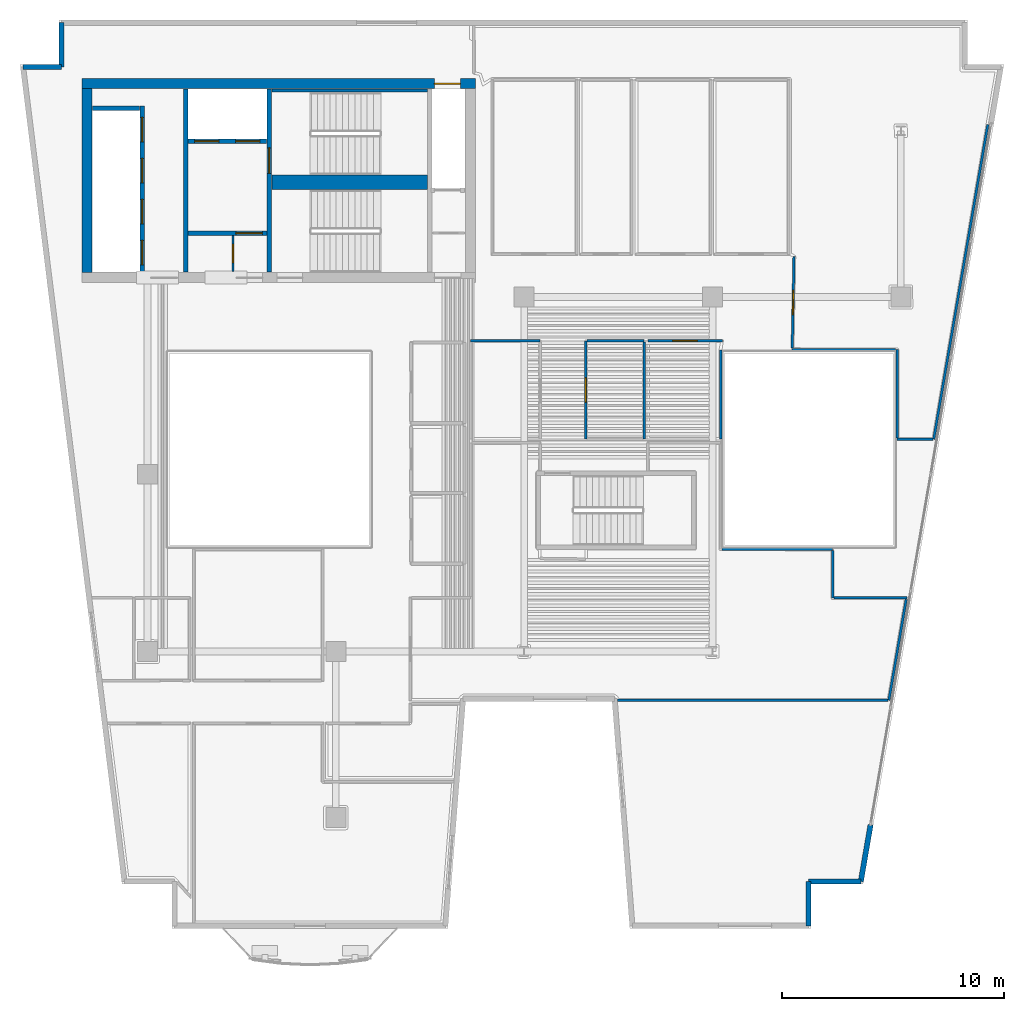
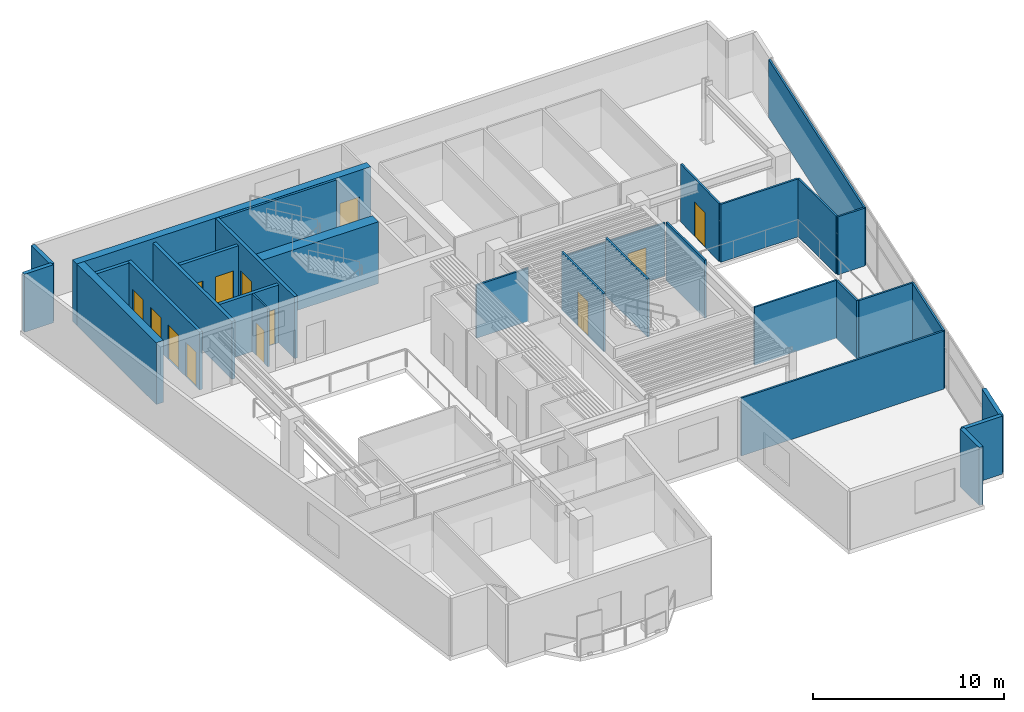
# One storey, part 5 of 10: 32 walls, 13 doors, 13 openings.
"""IFC4 building model written with IfcOpenShell, lengths in metres."""

from ifc_helpers import new_model, si_unit, direction, frame, frame_2d, origin, place, context, subcontext, project, spatial, rectangle, extrude, material, layer, layer_set, type_object, element, fill, save


model = new_model("IFC4")

# Units and contexts
model_context = context("Model", 3, precision=1e-05, world=origin(), true_north=direction((0.0, 1.0)))
body_context = subcontext(model_context, "Body", "Model", "MODEL_VIEW")
ifc_project = project(units=[si_unit("LENGTHUNIT", "METRE"), si_unit("AREAUNIT", "SQUARE_METRE"), si_unit("VOLUMEUNIT", "CUBIC_METRE"), si_unit("PLANEANGLEUNIT", "RADIAN"), si_unit("MASSUNIT", "GRAM", prefix="KILO")], contexts=[model_context])

# Site, building, storey
site_placement = place(None, origin())
site = spatial("IfcSite", under=ifc_project, at=site_placement, CompositionType="ELEMENT")
building_placement = place(site_placement, origin())
building = spatial("IfcBuilding", under=site, at=building_placement, Name="Caeloran Harvest Quay", CompositionType="ELEMENT")
storey_placement = place(building_placement, frame((0.0, 0.0, 219.300048828125)))
storey = spatial("IfcBuildingStorey", under=building, at=storey_placement, Name="L52", CompositionType="ELEMENT", Elevation=219.300048828125)

# Walls
ifc_material_1 = material(Name="Precast concrete C50/60", Category="concrete")
ifc_layer_1 = layer(ifc_material_1, 0.239990234375, Name="Precast concrete C50/60")
ifc_layer_set_1 = layer_set([ifc_layer_1], Name="Precast concrete C50/60")
wall_type_1 = type_object("IfcWallType", Name="ENV-WALL-EW-240", PredefinedType="STANDARD", material=ifc_layer_set_1)
wall_1_placement = place(storey_placement, frame((2.884765625, 41.3798828125, 0.0), z_axis=(0.0, 0.0, 1.0), x_axis=(1.0, 0.0, 0.0)))
element("IfcWall", 1, at=wall_1_placement, inside=storey, type_object=wall_type_1, Name="L52 Exterior Precast Concrete Facade Wall 4", PredefinedType="STANDARD", context=body_context, shape_type="SweptSolid", body=[
    extrude(rectangle(XDim=1.7353515625, YDim=0.239990234375, at=frame_2d((0.86767578125, 0.0))), origin(), (0.0, 0.0, 1.0), 3.699951171875),
])
wall_2_placement = place(storey_placement, frame((4.6201171875, 41.3798828125, 0.0), z_axis=(0.0, 0.0, 1.0), x_axis=(0.0, 1.0, 0.0)))
element("IfcWall", 2, at=wall_2_placement, inside=storey, type_object=wall_type_1, Name="L52 Exterior Precast Concrete Facade Wall 5", PredefinedType="STANDARD", context=body_context, shape_type="SweptSolid", body=[
    extrude(rectangle(XDim=2.0, YDim=0.239990234375, at=frame_2d((1.0, 0.0))), origin(), (0.0, 0.0, 1.0), 3.699951171875),
])
wall_3_placement = place(storey_placement, frame((41.135986328125, 7.182373046875, 0.0), z_axis=(0.0, 0.0, 1.0), x_axis=(-0.169315679152, -0.985561870606, 0.0)))
element("IfcWall", 3, at=wall_3_placement, inside=storey, type_object=wall_type_1, Name="L52 Exterior Facade Corner Pier Wall 9B", PredefinedType="STANDARD", context=body_context, shape_type="SweptSolid", body=[
    extrude(rectangle(XDim=2.599853515625, YDim=0.239990234375, at=frame_2d((1.2998046875, 0.0))), origin(), (0.0, 0.0, 1.0), 3.699951171875),
])
wall_4_placement = place(storey_placement, frame((40.69580078125, 4.6201171875, 0.0), z_axis=(0.0, 0.0, 1.0), x_axis=(-1.0, 0.0, 0.0)))
element("IfcWall", 4, at=wall_4_placement, inside=storey, type_object=wall_type_1, Name="L52 Exterior Precast Concrete Facade Wall 10", PredefinedType="STANDARD", context=body_context, shape_type="SweptSolid", body=[
    extrude(rectangle(XDim=2.36279296875, YDim=0.239990234375, at=frame_2d((1.181396484375, 0.0))), origin(), (0.0, 0.0, 1.0), 3.699951171875),
])
wall_5_placement = place(storey_placement, frame((38.3330078125, 4.6201171875, 0.0), z_axis=(0.0, 0.0, 1.0), x_axis=(0.0, -1.0, 0.0)))
element("IfcWall", 5, at=wall_5_placement, inside=storey, type_object=wall_type_1, Name="L52 Exterior Precast Concrete Facade Wall 11", PredefinedType="STANDARD", context=body_context, shape_type="SweptSolid", body=[
    extrude(rectangle(XDim=2.0, YDim=0.239990234375, at=frame_2d((1.0, 0.0))), origin(), (0.0, 0.0, 1.0), 3.699951171875),
])

# Wall, opening, door
ifc_material_2 = material(Name="Fire-Resisting Gypsum Core Riser Partition", Category="gypsum")
ifc_layer_2 = layer(ifc_material_2, 0.10009765625, Name="Fire-Resisting Gypsum Core Riser Partition")
ifc_layer_set_2 = layer_set([ifc_layer_2], Name="Fire-Resisting Gypsum Core Riser Partition")
wall_type_2 = type_object("IfcWallType", Name="INT-WALL-PW-100", PredefinedType="PARTITIONING", material=ifc_layer_set_2)
wall_6_placement = place(storey_placement, frame((12.360107421875, 32.159912109375, 0.0), z_axis=(0.0, 0.0, 1.0), x_axis=(0.0, 1.0, 0.0)))
wall_6 = element("IfcWall", 6, at=wall_6_placement, inside=storey, type_object=wall_type_2, Name="L52 Core Store Partition Wall", PredefinedType="PARTITIONING", context=body_context, shape_type="SweptSolid", body=[
    extrude(rectangle(XDim=1.6201171875, YDim=0.10009765625, at=frame_2d((0.81005859375, 0.0))), origin(), (0.0, 0.0, 1.0), 3.699951171875),
])
opening_1_placement = place(wall_6_placement, frame((0.3798828125, 0.0, 0.0)))
opening_1 = element("IfcOpeningElement", 7, at=opening_1_placement, cuts=wall_6, Name="Opening SV-01", PredefinedType="OPENING", context=body_context, shape_type="SweptSolid", body=[
    extrude(rectangle(XDim=0.85009765625, YDim=2.10009765625, at=frame_2d((0.425048828125, 1.050048828125))), frame((0.0, 0.06005859375, 0.0), z_axis=(0.0, -1.0, 0.0), x_axis=(1.0, 0.0, 0.0)), (0.0, 0.0, 1.0), 0.1201171875),
])
ifc_material_3 = material(Name="Galvanized Painted Steel", Category="steel")
door_type_1 = type_object("IfcDoorType", Name="INTDOOR-SV-01", OperationType="NOTDEFINED", PredefinedType="DOOR", material=ifc_material_3)
door_1_placement = place(opening_1_placement, origin())
door_1 = element("IfcDoor", 8, at=door_1_placement, inside=storey, type_object=door_type_1, Name="L52 Core Service Room Access Door", OperationType="SINGLE_SWING_LEFT", OverallHeight=2.10009765625, OverallWidth=0.85009765625, PredefinedType="DOOR", context=body_context, shape_type="SweptSolid", body=[
    extrude(rectangle(XDim=0.85009765625, YDim=2.10009765625, at=frame_2d((0.425048828125, 1.050048828125))), frame((0.0, 0.02490234375, 0.0), z_axis=(0.0, -1.0, 0.0), x_axis=(1.0, 0.0, 0.0)), (0.0, 0.0, 1.0), 0.050048828125),
])
fill(opening_1, door_1)

# Walls
ifc_material_4 = material(Name="Single-Stud Acoustic Gypsum Office Partition", Category="gypsum")
ifc_layer_3 = layer(ifc_material_4, 0.112060546875, Name="Single-Stud Acoustic Gypsum Office Partition")
ifc_layer_set_3 = layer_set([ifc_layer_3], Name="Single-Stud Acoustic Gypsum Office Partition")
wall_type_3 = type_object("IfcWallType", Name="INT-WALL-PW-112", PredefinedType="PARTITIONING", material=ifc_layer_set_3)
wall_7_placement = place(storey_placement, frame((34.430908203125, 19.6201171875, 0.0), z_axis=(0.0, 0.0, 1.0), x_axis=(1.0, 0.0, 0.0)))
element("IfcWall", 9, at=wall_7_placement, inside=storey, type_object=wall_type_3, Name="Founder Fireside Salon Lounge Partition Wall", PredefinedType="PARTITIONING", context=body_context, shape_type="SweptSolid", body=[
    extrude(rectangle(XDim=4.989013671875, YDim=0.112060546875, at=frame_2d((2.49462890625, 0.0))), origin(), (0.0, 0.0, 1.0), 3.699951171875),
])
wall_8_placement = place(storey_placement, frame((39.419921875, 19.55908203125, 0.0), z_axis=(0.0, 0.0, 1.0), x_axis=(0.0, -1.0, 0.0)))
element("IfcWall", 10, at=wall_8_placement, inside=storey, type_object=wall_type_3, Name="Founder Fireside Salon Lounge Partition Wall", PredefinedType="PARTITIONING", context=body_context, shape_type="SweptSolid", body=[
    extrude(rectangle(XDim=2.13916015625, YDim=0.112060546875, at=frame_2d((1.069580078125, 0.0))), origin(), (0.0, 0.0, 1.0), 3.699951171875),
])
wall_9_placement = place(storey_placement, frame((39.48095703125, 17.419921875, 0.0), z_axis=(0.0, 0.0, 1.0), x_axis=(1.0, 0.0, 0.0)))
element("IfcWall", 11, at=wall_9_placement, inside=storey, type_object=wall_type_3, Name="Founder Fireside Salon Lounge Partition Wall", PredefinedType="PARTITIONING", context=body_context, shape_type="SweptSolid", body=[
    extrude(rectangle(XDim=3.30810546875, YDim=0.112060546875, at=frame_2d((1.654052734375, 0.0))), origin(), (0.0, 0.0, 1.0), 3.699951171875),
])
wall_10_placement = place(storey_placement, frame((42.743408203125, 17.35888671875, 0.0), z_axis=(0.0, 0.0, 1.0), x_axis=(-0.169369588082, -0.985552607745, 0.0)))
element("IfcWall", 12, at=wall_10_placement, inside=storey, type_object=wall_type_3, Name="Founder Fireside Salon Lounge Partition Wall", PredefinedType="PARTITIONING", context=body_context, shape_type="SweptSolid", body=[
    extrude(rectangle(XDim=4.625732421875, YDim=0.112060546875, at=frame_2d((2.31298828125, 0.0))), origin(), (0.0, 0.0, 1.0), 3.699951171875),
])
wall_11_placement = place(storey_placement, frame((41.930419921875, 12.800048828125, 0.0), z_axis=(0.0, 0.0, 1.0), x_axis=(-1.0, 0.0, 0.0)))
element("IfcWall", 13, at=wall_11_placement, inside=storey, type_object=wall_type_3, Name="Founder Fireside Salon Lounge Partition Wall", PredefinedType="PARTITIONING", context=body_context, shape_type="SweptSolid", body=[
    extrude(rectangle(XDim=12.21923828125, YDim=0.112060546875, at=frame_2d((6.109619140625, 0.0))), origin(), (0.0, 0.0, 1.0), 3.699951171875),
])
wall_12_placement = place(storey_placement, frame((23.080078125, 29.02001953125, 0.0), z_axis=(0.0, 0.0, 1.0), x_axis=(1.0, 0.0, 0.0)))
element("IfcWall", 14, at=wall_12_placement, inside=storey, type_object=wall_type_3, Name="Refreshment Dining Kitchen Partition Wall", PredefinedType="PARTITIONING", context=body_context, shape_type="SweptSolid", body=[
    extrude(rectangle(XDim=3.139892578125, YDim=0.112060546875, at=frame_2d((1.56982421875, 0.0))), origin(), (0.0, 0.0, 1.0), 3.385009765625),
])

# Wall, opening, door
wall_13_placement = place(storey_placement, frame((28.280029296875, 24.580078125, 0.0), z_axis=(0.0, 0.0, 1.0), x_axis=(0.0, 1.0, 0.0)))
wall_13 = element("IfcWall", 15, at=wall_13_placement, inside=storey, type_object=wall_type_3, Name="Secure Vault Laboratory Partition Wall", PredefinedType="PARTITIONING", context=body_context, shape_type="SweptSolid", body=[
    extrude(rectangle(XDim=4.43994140625, YDim=0.112060546875, at=frame_2d((2.219970703125, 0.0))), origin(), (0.0, 0.0, 1.0), 3.699951171875),
])
opening_2_placement = place(wall_13_placement, frame((1.669921875, 0.0, 0.0)))
opening_2 = element("IfcOpeningElement", 16, at=opening_2_placement, cuts=wall_13, Name="Opening ID-04", PredefinedType="OPENING", context=body_context, shape_type="SweptSolid", body=[
    extrude(rectangle(XDim=1.10009765625, YDim=2.199951171875, at=frame_2d((0.550048828125, 1.10009765625))), frame((0.0, 0.06591796875, 0.0), z_axis=(0.0, -1.0, 0.0), x_axis=(1.0, 0.0, 0.0)), (0.0, 0.0, 1.0), 0.132080078125),
])
ifc_material_5 = material(Name="Acoustic Walnut Veneer Executive Door", Category="wood")
door_type_2 = type_object("IfcDoorType", Name="INTDOOR-ID-04", OperationType="NOTDEFINED", PredefinedType="DOOR", material=ifc_material_5)
door_2_placement = place(opening_2_placement, origin())
door_2 = element("IfcDoor", 17, at=door_2_placement, inside=storey, type_object=door_type_2, Name="Secure Vault Laboratory Access Door", OperationType="SINGLE_SWING_RIGHT", OverallHeight=2.199951171875, OverallWidth=1.10009765625, PredefinedType="DOOR", context=body_context, shape_type="SweptSolid", body=[
    extrude(rectangle(XDim=1.10009765625, YDim=2.199951171875, at=frame_2d((0.550048828125, 1.10009765625))), frame((0.0, 0.02490234375, 0.0), z_axis=(0.0, -1.0, 0.0), x_axis=(1.0, 0.0, 0.0)), (0.0, 0.0, 1.0), 0.050048828125),
])
fill(opening_2, door_2)

# Walls
wall_14_placement = place(storey_placement, frame((28.341064453125, 29.02001953125, 0.0), z_axis=(0.0, 0.0, 1.0), x_axis=(1.0, 0.0, 0.0)))
element("IfcWall", 18, at=wall_14_placement, inside=storey, type_object=wall_type_3, Name="Secure Vault Laboratory Partition Wall", PredefinedType="PARTITIONING", context=body_context, shape_type="SweptSolid", body=[
    extrude(rectangle(XDim=2.578857421875, YDim=0.112060546875, at=frame_2d((1.28955078125, 0.0))), origin(), (0.0, 0.0, 1.0), 3.385009765625),
])
wall_15_placement = place(storey_placement, frame((30.919921875, 28.958984375, 0.0), z_axis=(0.0, 0.0, 1.0), x_axis=(0.0, -1.0, 0.0)))
element("IfcWall", 19, at=wall_15_placement, inside=storey, type_object=wall_type_3, Name="Secure Vault Laboratory Partition Wall", PredefinedType="PARTITIONING", context=body_context, shape_type="SweptSolid", body=[
    extrude(rectangle(XDim=4.37890625, YDim=0.112060546875, at=frame_2d((2.189453125, 0.0))), origin(), (0.0, 0.0, 1.0), 3.699951171875),
])
wall_16_placement = place(storey_placement, frame((34.3701171875, 28.60009765625, 0.0), z_axis=(0.0, 0.0, 1.0), x_axis=(0.0, -1.0, 0.0)))
element("IfcWall", 20, at=wall_16_placement, inside=storey, type_object=wall_type_3, Name="Clean-Tech Venture Studio 9 Partition Wall", PredefinedType="PARTITIONING", context=body_context, shape_type="SweptSolid", body=[
    extrude(rectangle(XDim=4.02001953125, YDim=0.112060546875, at=frame_2d((2.010009765625, 0.0))), origin(), (0.0, 0.0, 1.0), 3.699951171875),
])

# Wall, opening, door
wall_17_placement = place(storey_placement, frame((31.080078125, 29.02001953125, 0.0), z_axis=(0.0, 0.0, 1.0), x_axis=(1.0, 0.0, 0.0)))
wall_17 = element("IfcWall", 21, at=wall_17_placement, inside=storey, type_object=wall_type_3, Name="Clean-Tech Venture Studio 9 Partition Wall", PredefinedType="PARTITIONING", context=body_context, shape_type="SweptSolid", body=[
    extrude(rectangle(XDim=3.371826171875, YDim=0.112060546875, at=frame_2d((1.68603515625, 0.0))), origin(), (0.0, 0.0, 1.0), 3.385009765625),
])
opening_3_placement = place(wall_17_placement, frame((1.135986328125, 0.0, 0.0)))
opening_3 = element("IfcOpeningElement", 22, at=opening_3_placement, cuts=wall_17, Name="Opening ID-04", PredefinedType="OPENING", context=body_context, shape_type="SweptSolid", body=[
    extrude(rectangle(XDim=1.10009765625, YDim=2.199951171875, at=frame_2d((0.550048828125, 1.10009765625))), frame((0.0, 0.06591796875, 0.0), z_axis=(0.0, -1.0, 0.0), x_axis=(1.0, 0.0, 0.0)), (0.0, 0.0, 1.0), 0.132080078125),
])
door_3_placement = place(opening_3_placement, origin())
door_3 = element("IfcDoor", 23, at=door_3_placement, inside=storey, type_object=door_type_2, Name="Clean-Tech Venture Studio 9 Access Door", OperationType="SINGLE_SWING_LEFT", OverallHeight=2.199951171875, OverallWidth=1.10009765625, PredefinedType="DOOR", context=body_context, shape_type="SweptSolid", body=[
    extrude(rectangle(XDim=1.10009765625, YDim=2.199951171875, at=frame_2d((0.550048828125, 1.10009765625))), frame((0.0, 0.02490234375, 0.0), z_axis=(0.0, -1.0, 0.0), x_axis=(1.0, 0.0, 0.0)), (0.0, 0.0, 1.0), 0.050048828125),
])
fill(opening_3, door_3)

# Walls
wall_18_placement = place(storey_placement, frame((46.424560546875, 38.777099609375, 0.0), z_axis=(0.0, 0.0, 1.0), x_axis=(-0.169429025923, -0.985542391364, 0.0)))
element("IfcWall", 24, at=wall_18_placement, inside=storey, type_object=wall_type_3, Name="Portfolio Catering Kitchen 10 Partition Wall", PredefinedType="PARTITIONING", context=body_context, shape_type="SweptSolid", body=[
    extrude(rectangle(XDim=14.4052734375, YDim=0.112060546875, at=frame_2d((7.20263671875, 0.0))), origin(), (0.0, 0.0, 1.0), 3.699951171875),
])
wall_19_placement = place(storey_placement, frame((43.95458984375, 24.580078125, 0.0), z_axis=(0.0, 0.0, 1.0), x_axis=(-1.0, 0.0, 0.0)))
element("IfcWall", 25, at=wall_19_placement, inside=storey, type_object=wall_type_3, Name="Portfolio Catering Kitchen 10 Partition Wall", PredefinedType="PARTITIONING", context=body_context, shape_type="SweptSolid", body=[
    extrude(rectangle(XDim=1.62451171875, YDim=0.112060546875, at=frame_2d((0.812255859375, 0.0))), origin(), (0.0, 0.0, 1.0), 3.699951171875),
])
wall_20_placement = place(storey_placement, frame((42.330078125, 24.64111328125, 0.0), z_axis=(0.0, 0.0, 1.0), x_axis=(0.0, 1.0, 0.0)))
element("IfcWall", 26, at=wall_20_placement, inside=storey, type_object=wall_type_3, Name="Portfolio Catering Kitchen 10 Partition Wall", PredefinedType="PARTITIONING", context=body_context, shape_type="SweptSolid", body=[
    extrude(rectangle(XDim=3.98876953125, YDim=0.112060546875, at=frame_2d((1.994384765625, 0.0))), origin(), (0.0, 0.0, 1.0), 3.699951171875),
])
wall_21_placement = place(storey_placement, frame((42.26904296875, 28.6298828125, 0.0), z_axis=(0.0, 0.0, 1.0), x_axis=(-1.0, 0.0, 0.0)))
element("IfcWall", 27, at=wall_21_placement, inside=storey, type_object=wall_type_3, Name="Portfolio Catering Kitchen 10 Partition Wall", PredefinedType="PARTITIONING", context=body_context, shape_type="SweptSolid", body=[
    extrude(rectangle(XDim=4.671142578125, YDim=0.112060546875, at=frame_2d((2.33544921875, 0.0))), origin(), (0.0, 0.0, 1.0), 3.699951171875),
])

# Wall, opening, door
wall_22_placement = place(storey_placement, frame((37.59912109375, 28.69091796875, 0.0), z_axis=(0.0, 0.0, 1.0), x_axis=(0.019566997539, 0.999808547977, 0.0)))
wall_22 = element("IfcWall", 28, at=wall_22_placement, inside=storey, type_object=wall_type_3, Name="Portfolio Catering Kitchen 10 Partition Wall", PredefinedType="PARTITIONING", context=body_context, shape_type="SweptSolid", body=[
    extrude(rectangle(XDim=4.1298828125, YDim=0.112060546875, at=frame_2d((2.06494140625, 0.0))), origin(), (0.0, 0.0, 1.0), 3.699951171875),
])
opening_4_placement = place(wall_22_placement, frame((1.514892578125, 0.0, 0.0)))
opening_4 = element("IfcOpeningElement", 29, at=opening_4_placement, cuts=wall_22, Name="Opening ID-04", PredefinedType="OPENING", context=body_context, shape_type="SweptSolid", body=[
    extrude(rectangle(XDim=1.10009765625, YDim=2.199951171875, at=frame_2d((0.550048828125, 1.10009765625))), frame((0.0, 0.06591796875, 0.0), z_axis=(0.0, -1.0, 0.0), x_axis=(1.0, 0.0, 0.0)), (0.0, 0.0, 1.0), 0.132080078125),
])
door_4_placement = place(opening_4_placement, origin())
door_4 = element("IfcDoor", 30, at=door_4_placement, inside=storey, type_object=door_type_2, Name="Portfolio Catering Kitchen 10 Access Door", OperationType="SINGLE_SWING_RIGHT", OverallHeight=2.199951171875, OverallWidth=1.10009765625, PredefinedType="DOOR", context=body_context, shape_type="SweptSolid", body=[
    extrude(rectangle(XDim=1.10009765625, YDim=2.199951171875, at=frame_2d((0.550048828125, 1.10009765625))), frame((0.0, 0.02490234375, 0.0), z_axis=(0.0, -1.0, 0.0), x_axis=(1.0, 0.0, 0.0)), (0.0, 0.0, 1.0), 0.050048828125),
])
fill(opening_4, door_4)

# Wall, openings, doors
ifc_material_6 = material(Name="Concrete C50/60", Category="concrete")
ifc_layer_4 = layer(ifc_material_6, 0.199951171875, Name="Concrete C50/60")
ifc_layer_set_4 = layer_set([ifc_layer_4], Name="Concrete C50/60")
wall_type_4 = type_object("IfcWallType", Name="INT-WALL-SW-200", PredefinedType="PARTITIONING", material=ifc_layer_set_4)
wall_23_placement = place(storey_placement, frame((8.260009765625, 32.1201171875, 0.0), z_axis=(0.0, 0.0, 1.0), x_axis=(0.0, 1.0, 0.0)))
wall_23 = element("IfcWall", 31, at=wall_23_placement, inside=storey, type_object=wall_type_4, Name="L52 Bank 3 Lift Shaft Wall", PredefinedType="PARTITIONING", context=body_context, shape_type="SweptSolid", body=[
    extrude(rectangle(XDim=7.5, YDim=0.199951171875, at=frame_2d((3.75, 0.0))), origin(), (0.0, 0.0, 1.0), 3.699951171875),
])
opening_5_placement = place(wall_23_placement, frame((0.330078125, 0.0, 0.0)))
opening_5 = element("IfcOpeningElement", 32, at=opening_5_placement, cuts=wall_23, Name="Opening LD-01", PredefinedType="OPENING", context=body_context, shape_type="SweptSolid", body=[
    extrude(rectangle(XDim=1.10009765625, YDim=2.199951171875, at=frame_2d((0.550048828125, 1.10009765625))), frame((0.0, 0.10986328125, 0.0), z_axis=(0.0, -1.0, 0.0), x_axis=(1.0, 0.0, 0.0)), (0.0, 0.0, 1.0), 0.219970703125),
])
opening_6_placement = place(wall_23_placement, frame((2.179931640625, 0.0, 0.0)))
opening_6 = element("IfcOpeningElement", 33, at=opening_6_placement, cuts=wall_23, Name="Opening LD-01", PredefinedType="OPENING", context=body_context, shape_type="SweptSolid", body=[
    extrude(rectangle(XDim=1.10009765625, YDim=2.199951171875, at=frame_2d((0.550048828125, 1.10009765625))), frame((0.0, 0.10986328125, 0.0), z_axis=(0.0, -1.0, 0.0), x_axis=(1.0, 0.0, 0.0)), (0.0, 0.0, 1.0), 0.219970703125),
])
opening_7_placement = place(wall_23_placement, frame((4.030029296875, 0.0, 0.0)))
opening_7 = element("IfcOpeningElement", 34, at=opening_7_placement, cuts=wall_23, Name="Opening LD-01", PredefinedType="OPENING", context=body_context, shape_type="SweptSolid", body=[
    extrude(rectangle(XDim=1.10009765625, YDim=2.199951171875, at=frame_2d((0.550048828125, 1.10009765625))), frame((0.0, 0.10986328125, 0.0), z_axis=(0.0, -1.0, 0.0), x_axis=(1.0, 0.0, 0.0)), (0.0, 0.0, 1.0), 0.219970703125),
])
opening_8_placement = place(wall_23_placement, frame((5.8798828125, 0.0, 0.0)))
opening_8 = element("IfcOpeningElement", 35, at=opening_8_placement, cuts=wall_23, Name="Opening LD-01", PredefinedType="OPENING", context=body_context, shape_type="SweptSolid", body=[
    extrude(rectangle(XDim=1.10009765625, YDim=2.199951171875, at=frame_2d((0.550048828125, 1.10009765625))), frame((0.0, 0.10986328125, 0.0), z_axis=(0.0, -1.0, 0.0), x_axis=(1.0, 0.0, 0.0)), (0.0, 0.0, 1.0), 0.219970703125),
])
ifc_material_7 = material(Name="Stainless Steel Grade 316", Category="steel")
door_type_3 = type_object("IfcDoorType", Name="INTDOOR-LD-01", OperationType="NOTDEFINED", PredefinedType="DOOR", material=ifc_material_7)
door_5_placement = place(opening_5_placement, origin())
door_5 = element("IfcDoor", 36, at=door_5_placement, inside=storey, type_object=door_type_3, Name="Lift P3-1 Sliding Landing Door (L52)", OperationType="DOUBLE_DOOR_SLIDING", OverallHeight=2.199951171875, OverallWidth=1.10009765625, PredefinedType="DOOR", context=body_context, shape_type="SweptSolid", body=[
    extrude(rectangle(XDim=1.10009765625, YDim=2.199951171875, at=frame_2d((0.550048828125, 1.10009765625))), frame((0.0, 0.02490234375, 0.0), z_axis=(0.0, -1.0, 0.0), x_axis=(1.0, 0.0, 0.0)), (0.0, 0.0, 1.0), 0.050048828125),
])
fill(opening_5, door_5)
door_6_placement = place(opening_6_placement, origin())
door_6 = element("IfcDoor", 37, at=door_6_placement, inside=storey, type_object=door_type_3, Name="Lift P3-2 Sliding Landing Door (L52)", OperationType="DOUBLE_DOOR_SLIDING", OverallHeight=2.199951171875, OverallWidth=1.10009765625, PredefinedType="DOOR", context=body_context, shape_type="SweptSolid", body=[
    extrude(rectangle(XDim=1.10009765625, YDim=2.199951171875, at=frame_2d((0.550048828125, 1.10009765625))), frame((0.0, 0.02490234375, 0.0), z_axis=(0.0, -1.0, 0.0), x_axis=(1.0, 0.0, 0.0)), (0.0, 0.0, 1.0), 0.050048828125),
])
fill(opening_6, door_6)
door_7_placement = place(opening_7_placement, origin())
door_7 = element("IfcDoor", 38, at=door_7_placement, inside=storey, type_object=door_type_3, Name="Lift P3-3 Sliding Landing Door (L52)", OperationType="DOUBLE_DOOR_SLIDING", OverallHeight=2.199951171875, OverallWidth=1.10009765625, PredefinedType="DOOR", context=body_context, shape_type="SweptSolid", body=[
    extrude(rectangle(XDim=1.10009765625, YDim=2.199951171875, at=frame_2d((0.550048828125, 1.10009765625))), frame((0.0, 0.02490234375, 0.0), z_axis=(0.0, -1.0, 0.0), x_axis=(1.0, 0.0, 0.0)), (0.0, 0.0, 1.0), 0.050048828125),
])
fill(opening_7, door_7)
door_8_placement = place(opening_8_placement, origin())
door_8 = element("IfcDoor", 39, at=door_8_placement, inside=storey, type_object=door_type_3, Name="Lift P3-4 Sliding Landing Door (L52)", OperationType="DOUBLE_DOOR_SLIDING", OverallHeight=2.199951171875, OverallWidth=1.10009765625, PredefinedType="DOOR", context=body_context, shape_type="SweptSolid", body=[
    extrude(rectangle(XDim=1.10009765625, YDim=2.199951171875, at=frame_2d((0.550048828125, 1.10009765625))), frame((0.0, 0.02490234375, 0.0), z_axis=(0.0, -1.0, 0.0), x_axis=(1.0, 0.0, 0.0)), (0.0, 0.0, 1.0), 0.050048828125),
])
fill(opening_8, door_8)

# Walls
wall_24_placement = place(storey_placement, frame((6.02001953125, 39.52001953125, 0.0), z_axis=(0.0, 0.0, 1.0), x_axis=(1.0, 0.0, 0.0)))
element("IfcWall", 40, at=wall_24_placement, inside=storey, type_object=wall_type_4, Name="L52 Bank 3 Lift Shaft North End Wall", PredefinedType="PARTITIONING", context=body_context, shape_type="SweptSolid", body=[
    extrude(rectangle(XDim=2.119873046875, YDim=0.199951171875, at=frame_2d((1.06005859375, 0.0))), origin(), (0.0, 0.0, 1.0), 3.699951171875),
])
wall_25_placement = place(storey_placement, frame((10.219970703125, 32.1201171875, 0.0), z_axis=(0.0, 0.0, 1.0), x_axis=(0.0, 1.0, 0.0)))
element("IfcWall", 41, at=wall_25_placement, inside=storey, type_object=wall_type_4, Name="L52 Core Lobby Compartment Wall", PredefinedType="PARTITIONING", context=body_context, shape_type="SweptSolid", body=[
    extrude(rectangle(XDim=8.259765625, YDim=0.199951171875, at=frame_2d((4.1298828125, 0.0))), origin(), (0.0, 0.0, 1.0), 3.699951171875),
])

# Wall, openings, doors
wall_26_placement = place(storey_placement, frame((10.340087890625, 38.02001953125, 0.0), z_axis=(0.0, 0.0, 1.0), x_axis=(1.0, 0.0, 0.0)))
wall_26 = element("IfcWall", 42, at=wall_26_placement, inside=storey, type_object=wall_type_4, Name="L52 Firefighting Lift Shaft Wall", PredefinedType="PARTITIONING", context=body_context, shape_type="SweptSolid", body=[
    extrude(rectangle(XDim=3.539794921875, YDim=0.199951171875, at=frame_2d((1.77001953125, 0.0))), origin(), (0.0, 0.0, 1.0), 3.699951171875),
])
opening_9_placement = place(wall_26_placement, frame((0.284912109375, 0.0, 0.0)))
opening_9 = element("IfcOpeningElement", 43, at=opening_9_placement, cuts=wall_26, Name="Opening LD-01", PredefinedType="OPENING", context=body_context, shape_type="SweptSolid", body=[
    extrude(rectangle(XDim=1.10009765625, YDim=2.199951171875, at=frame_2d((0.550048828125, 1.10009765625))), frame((0.0, 0.10986328125, 0.0), z_axis=(0.0, -1.0, 0.0), x_axis=(1.0, 0.0, 0.0)), (0.0, 0.0, 1.0), 0.219970703125),
])
opening_10_placement = place(wall_26_placement, frame((2.135009765625, 0.0, 0.0)))
opening_10 = element("IfcOpeningElement", 44, at=opening_10_placement, cuts=wall_26, Name="Opening LD-01", PredefinedType="OPENING", context=body_context, shape_type="SweptSolid", body=[
    extrude(rectangle(XDim=1.10009765625, YDim=2.199951171875, at=frame_2d((0.550048828125, 1.10009765625))), frame((0.0, 0.10986328125, 0.0), z_axis=(0.0, -1.0, 0.0), x_axis=(1.0, 0.0, 0.0)), (0.0, 0.0, 1.0), 0.219970703125),
])
door_9_placement = place(opening_9_placement, origin())
door_9 = element("IfcDoor", 45, at=door_9_placement, inside=storey, type_object=door_type_3, Name="Lift FF-1 Sliding Landing Door (L52)", OperationType="DOUBLE_DOOR_SLIDING", OverallHeight=2.199951171875, OverallWidth=1.10009765625, PredefinedType="DOOR", context=body_context, shape_type="SweptSolid", body=[
    extrude(rectangle(XDim=1.10009765625, YDim=2.199951171875, at=frame_2d((0.550048828125, 1.10009765625))), frame((0.0, 0.02490234375, 0.0), z_axis=(0.0, -1.0, 0.0), x_axis=(1.0, 0.0, 0.0)), (0.0, 0.0, 1.0), 0.050048828125),
])
fill(opening_9, door_9)
door_10_placement = place(opening_10_placement, origin())
door_10 = element("IfcDoor", 46, at=door_10_placement, inside=storey, type_object=door_type_3, Name="Lift FF-2 Sliding Landing Door (L52)", OperationType="DOUBLE_DOOR_SLIDING", OverallHeight=2.199951171875, OverallWidth=1.10009765625, PredefinedType="DOOR", context=body_context, shape_type="SweptSolid", body=[
    extrude(rectangle(XDim=1.10009765625, YDim=2.199951171875, at=frame_2d((0.550048828125, 1.10009765625))), frame((0.0, 0.02490234375, 0.0), z_axis=(0.0, -1.0, 0.0), x_axis=(1.0, 0.0, 0.0)), (0.0, 0.0, 1.0), 0.050048828125),
])
fill(opening_10, door_10)

# Wall, opening, door
wall_27_placement = place(storey_placement, frame((10.340087890625, 33.8798828125, 0.0), z_axis=(0.0, 0.0, 1.0), x_axis=(1.0, 0.0, 0.0)))
wall_27 = element("IfcWall", 47, at=wall_27_placement, inside=storey, type_object=wall_type_4, Name="L52 Firefighting Lift Lobby Enclosure Wall", PredefinedType="PARTITIONING", context=body_context, shape_type="SweptSolid", body=[
    extrude(rectangle(XDim=3.559814453125, YDim=0.199951171875, at=frame_2d((1.77978515625, 0.0))), origin(), (0.0, 0.0, 1.0), 3.699951171875),
])
opening_11_placement = place(wall_27_placement, frame((2.14990234375, 0.0, 0.0)))
opening_11 = element("IfcOpeningElement", 48, at=opening_11_placement, cuts=wall_27, Name="Opening FD-01", PredefinedType="OPENING", context=body_context, shape_type="SweptSolid", body=[
    extrude(rectangle(XDim=1.199951171875, YDim=2.199951171875, at=frame_2d((0.60009765625, 1.10009765625))), frame((0.0, 0.10986328125, 0.0), z_axis=(0.0, -1.0, 0.0), x_axis=(1.0, 0.0, 0.0)), (0.0, 0.0, 1.0), 0.219970703125),
])
ifc_material_8 = material(Name="Steel", Category="steel")
door_type_4 = type_object("IfcDoorType", Name="INTDOOR-FD-01", OperationType="NOTDEFINED", PredefinedType="DOOR", material=ifc_material_8)
door_11_placement = place(opening_11_placement, origin())
door_11 = element("IfcDoor", 49, at=door_11_placement, inside=storey, type_object=door_type_4, Name="L52 Firefighting Lift Lobby Smoke-Seal Fire Door", OperationType="SINGLE_SWING_LEFT", OverallHeight=2.199951171875, OverallWidth=1.199951171875, PredefinedType="DOOR", context=body_context, shape_type="SweptSolid", body=[
    extrude(rectangle(XDim=1.199951171875, YDim=2.199951171875, at=frame_2d((0.60009765625, 1.10009765625))), frame((0.0, 0.02490234375, 0.0), z_axis=(0.0, -1.0, 0.0), x_axis=(1.0, 0.0, 0.0)), (0.0, 0.0, 1.0), 0.050048828125),
])
fill(opening_11, door_11)

ifc_material_9 = material(Name="Concrete C60/75", Category="concrete")
ifc_layer_5 = layer(ifc_material_9, 0.449951171875, Name="Concrete C60/75")
ifc_layer_set_5 = layer_set([ifc_layer_5], Name="Concrete C60/75")
wall_type_5 = type_object("IfcWallType", Name="STR-WALL-CW-450", PredefinedType="SHEAR", material=ifc_layer_set_5)
wall_28_placement = place(storey_placement, frame((5.550048828125, 40.625, 0.0), z_axis=(0.0, 0.0, 1.0), x_axis=(1.0, 0.0, 0.0)))
wall_28 = element("IfcWall", 50, at=wall_28_placement, inside=storey, type_object=wall_type_5, Name="L52 Rear Core Shear Wall N", PredefinedType="SHEAR", context=body_context, shape_type="SweptSolid", body=[
    extrude(rectangle(XDim=17.75, YDim=0.449951171875, at=frame_2d((8.875, 0.0))), origin(), (0.0, 0.0, 1.0), 3.949951171875),
])
opening_12_placement = place(wall_28_placement, frame((15.89501953125, 0.0, 0.0)))
opening_12 = element("IfcOpeningElement", 51, at=opening_12_placement, cuts=wall_28, Name="Opening LD-02", PredefinedType="OPENING", context=body_context, shape_type="SweptSolid", body=[
    extrude(rectangle(XDim=1.179931640625, YDim=2.25, at=frame_2d((0.58984375, 1.125))), frame((0.0, 0.23486328125, 0.0), z_axis=(0.0, -1.0, 0.0), x_axis=(1.0, 0.0, 0.0)), (0.0, 0.0, 1.0), 0.469970703125),
])
door_type_5 = type_object("IfcDoorType", Name="INTDOOR-LD-02", OperationType="NOTDEFINED", PredefinedType="DOOR", material=ifc_material_7)
door_12_placement = place(opening_12_placement, origin())
door_12 = element("IfcDoor", 52, at=door_12_placement, inside=storey, type_object=door_type_5, Name="Lift SV-1 Sliding Landing Door (L52)", OperationType="DOUBLE_DOOR_SLIDING", OverallHeight=2.25, OverallWidth=1.179931640625, PredefinedType="DOOR", context=body_context, shape_type="SweptSolid", body=[
    extrude(rectangle(XDim=1.179931640625, YDim=2.25, at=frame_2d((0.58984375, 1.125))), frame((0.0, 0.02490234375, 0.0), z_axis=(0.0, -1.0, 0.0), x_axis=(1.0, 0.0, 0.0)), (0.0, 0.0, 1.0), 0.050048828125),
])
fill(opening_12, door_12)

# Walls
wall_29_placement = place(storey_placement, frame((5.77490234375, 32.10009765625, 0.0), z_axis=(0.0, 0.0, 1.0), x_axis=(0.0, 1.0, 0.0)))
element("IfcWall", 53, at=wall_29_placement, inside=storey, type_object=wall_type_5, Name="L52 Rear Core Shear Wall W", PredefinedType="SHEAR", context=body_context, shape_type="SweptSolid", body=[
    extrude(rectangle(XDim=8.2998046875, YDim=0.449951171875, at=frame_2d((4.14990234375, 0.0))), origin(), (0.0, 0.0, 1.0), 3.949951171875),
])
ifc_layer_6 = layer(ifc_material_9, 0.64990234375, Name="Concrete C60/75")
ifc_layer_set_6 = layer_set([ifc_layer_6], Name="Concrete C60/75")
wall_type_6 = type_object("IfcWallType", Name="STR-WALL-CW-650", PredefinedType="SHEAR", material=ifc_layer_set_6)
wall_30_placement = place(storey_placement, frame((14.1201171875, 36.175048828125, 0.0), z_axis=(0.0, 0.0, 1.0), x_axis=(1.0, 0.0, 0.0)))
element("IfcWall", 54, at=wall_30_placement, inside=storey, type_object=wall_type_6, Name="L52 Core Stairs Dividing Shear Wall", PredefinedType="SHEAR", context=body_context, shape_type="SweptSolid", body=[
    extrude(rectangle(XDim=7.009765625, YDim=0.64990234375, at=frame_2d((3.5048828125, 0.0))), origin(), (0.0, 0.0, 1.0), 3.949951171875),
])
ifc_layer_7 = layer(ifc_material_9, 0.139892578125, Name="Concrete C60/75")
ifc_layer_set_7 = layer_set([ifc_layer_7], Name="Concrete C60/75")
wall_type_7 = type_object("IfcWallType", Name="STR-WALL-SW-140", PredefinedType="SHEAR", material=ifc_layer_set_7)
wall_31_placement = place(storey_placement, frame((14.1201171875, 40.320068359375, 0.0), z_axis=(0.0, 0.0, 1.0), x_axis=(1.0, 0.0, 0.0)))
element("IfcWall", 55, at=wall_31_placement, inside=storey, type_object=wall_type_7, Name="L52 Core Stair ST-C1 North Bearing Shear Wall", PredefinedType="SHEAR", context=body_context, shape_type="SweptSolid", body=[
    extrude(rectangle(XDim=7.009765625, YDim=0.139892578125, at=frame_2d((3.5048828125, 0.0))), origin(), (0.0, 0.0, 1.0), 3.949951171875),
])

# Wall, opening, door
ifc_layer_8 = layer(ifc_material_9, 0.199951171875, Name="Concrete C60/75")
ifc_layer_set_8 = layer_set([ifc_layer_8], Name="Concrete C60/75")
wall_type_8 = type_object("IfcWallType", Name="STR-WALL-SW-200", PredefinedType="SHEAR", material=ifc_layer_set_8)
wall_32_placement = place(storey_placement, frame((14.0, 32.1201171875, 0.0), z_axis=(0.0, 0.0, 1.0), x_axis=(0.0, 1.0, 0.0)))
wall_32 = element("IfcWall", 56, at=wall_32_placement, inside=storey, type_object=wall_type_8, Name="L52 Core Stair Shaft West Shear Wall", PredefinedType="SHEAR", context=body_context, shape_type="SweptSolid", body=[
    extrude(rectangle(XDim=8.259765625, YDim=0.199951171875, at=frame_2d((4.1298828125, 0.0))), origin(), (0.0, 0.0, 1.0), 3.949951171875),
])
opening_13_placement = place(wall_32_placement, frame((4.4599609375, 0.0, 0.0)))
opening_13 = element("IfcOpeningElement", 57, at=opening_13_placement, cuts=wall_32, Name="Opening SD-01", PredefinedType="OPENING", context=body_context, shape_type="SweptSolid", body=[
    extrude(rectangle(XDim=1.14990234375, YDim=2.199951171875, at=frame_2d((0.574951171875, 1.10009765625))), frame((0.0, 0.10986328125, 0.0), z_axis=(0.0, -1.0, 0.0), x_axis=(1.0, 0.0, 0.0)), (0.0, 0.0, 1.0), 0.219970703125),
])
door_type_6 = type_object("IfcDoorType", Name="INTDOOR-SD-01", OperationType="NOTDEFINED", PredefinedType="DOOR", material=ifc_material_8)
door_13_placement = place(opening_13_placement, origin())
door_13 = element("IfcDoor", 58, at=door_13_placement, inside=storey, type_object=door_type_6, Name="L52 Protected Stair ST-C1 Exit Door", OperationType="SINGLE_SWING_LEFT", OverallHeight=2.199951171875, OverallWidth=1.14990234375, PredefinedType="DOOR", context=body_context, shape_type="SweptSolid", body=[
    extrude(rectangle(XDim=1.14990234375, YDim=2.199951171875, at=frame_2d((0.574951171875, 1.10009765625))), frame((0.0, 0.02490234375, 0.0), z_axis=(0.0, -1.0, 0.0), x_axis=(1.0, 0.0, 0.0)), (0.0, 0.0, 1.0), 0.050048828125),
])
fill(opening_13, door_13)

save(model, "model.ifc")
